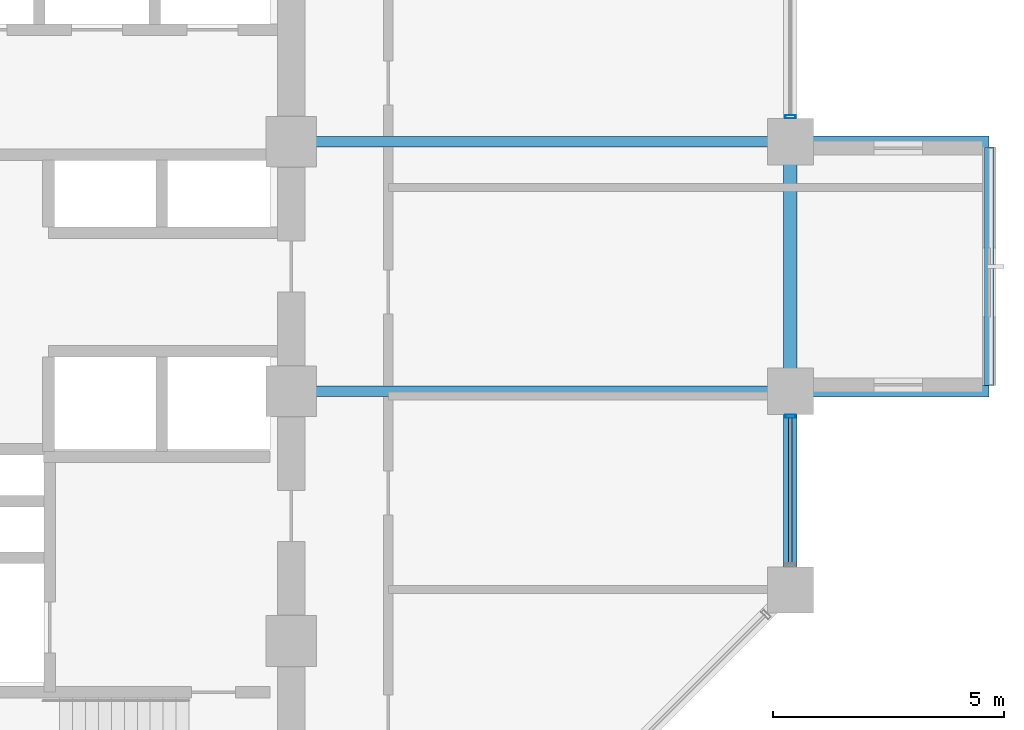
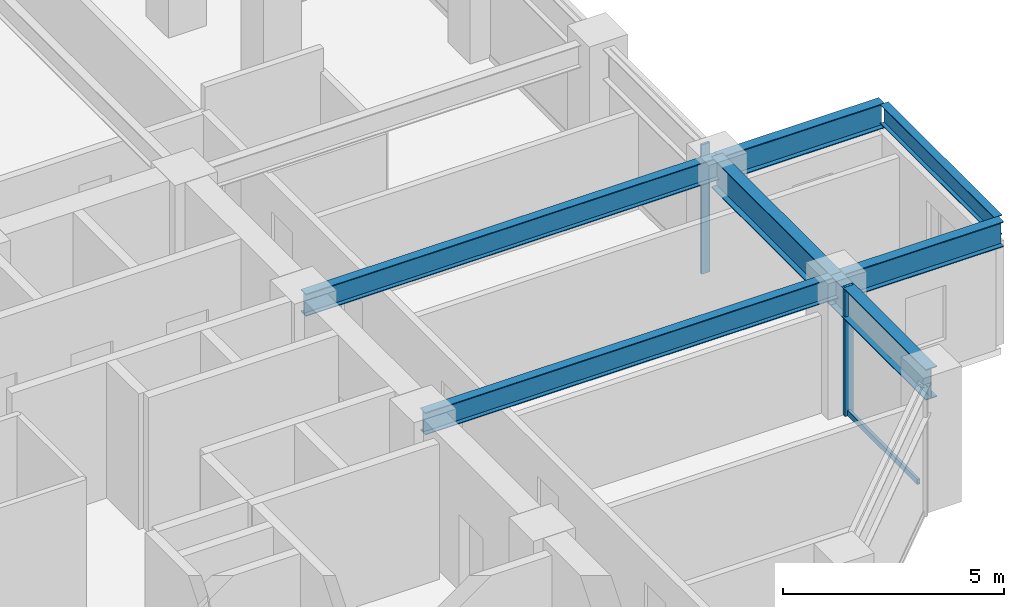
# One storey, part 9 of 26: 7 beams, 3 members, 2 elements without a shape of their own.
"""IFC4 building model written with IfcOpenShell, lengths in metres."""

from ifc_helpers import new_model, si_unit, direction, frame, origin, origin_2d, place, context, subcontext, project, spatial, hollow_rectangle, i_section, extrude, material, layer, layer_set, material_profile, profile_set, type_object, element, aggregate, save


model = new_model("IFC4")

# Units and contexts
model_context = context("Model", 3, precision=1e-05, world=origin(), true_north=direction((0.0, 1.0)))
body_context = subcontext(model_context, "Body", "Model", "MODEL_VIEW")
ifc_project = project(units=[si_unit("LENGTHUNIT", "METRE"), si_unit("AREAUNIT", "SQUARE_METRE"), si_unit("VOLUMEUNIT", "CUBIC_METRE"), si_unit("PLANEANGLEUNIT", "RADIAN"), si_unit("MASSUNIT", "GRAM", prefix="KILO")], contexts=[model_context])

# Site, building, storey
site_placement = place(None, origin())
site = spatial("IfcSite", under=ifc_project, at=site_placement, CompositionType="ELEMENT")
building_placement = place(site_placement, origin())
building = spatial("IfcBuilding", under=site, at=building_placement, Name="Surkhivell Harbour Commons", CompositionType="ELEMENT")
storey_placement = place(building_placement, frame((0.0, 0.0, 143.25)))
storey = spatial("IfcBuildingStorey", under=building, at=storey_placement, Name="L37", CompositionType="ELEMENT", Elevation=143.25)

# Beams
ifc_material_1 = material(Name="Steel S460", Category="steel")
ifc_material_profile_1 = material_profile(ifc_material_1, i_section(OverallWidth=0.256103515625, OverallDepth=0.693115234375, WebThickness=0.014404296875, FlangeThickness=0.023681640625, at=origin_2d()), Name="UB686x254x170")
ifc_profile_set_1 = profile_set([ifc_material_profile_1], Name="Steel S460")
beam_type_1 = type_object("IfcBeamType", Name="BM-CNT-686", PredefinedType="BEAM", material=ifc_profile_set_1)
for number, where, z_axis, x_axis, name in (
    (1, (21.60009765625, 0.0, 3.223388671875), (1.0, 0.0, 0.0), (0.0, 1.0, 0.0), "L37 Box Cantilever Outrigger (21.6,0.0)"),
    (2, (21.60009765625, 5.39990234375, 3.223388671875), (1.0, 0.0, 0.0), (0.0, 1.0, 0.0), "L37 Box Cantilever Outrigger (21.6,5.4)"),
):
    element("IfcBeam", number, at=place(storey_placement, frame(where, z_axis=z_axis, x_axis=x_axis)), inside=storey, type_object=beam_type_1, Name=name, PredefinedType="BEAM", context=body_context, shape_type="SweptSolid", body=[
        extrude(i_section(OverallWidth=0.256103515625, OverallDepth=0.693115234375, WebThickness=0.014404296875, FlangeThickness=0.023681640625, at=origin_2d()), origin(), (0.0, 0.0, 1.0), 4.2998046875),
    ])
ifc_material_2 = material(Name="Steel S355", Category="steel")
ifc_material_profile_2 = material_profile(ifc_material_2, i_section(OverallWidth=0.2099609375, OverallDepth=0.537109375, WebThickness=0.0107421875, FlangeThickness=0.017333984375, at=origin_2d()), Name="UB533x210x101")
ifc_profile_set_2 = profile_set([ifc_material_profile_2], Name="Steel S355")
beam_type_2 = type_object("IfcBeamType", Name="BM-GRD-533B", PredefinedType="BEAM", material=ifc_profile_set_2)
beam_1_placement = place(storey_placement, frame((25.89990234375, 0.1220703125, 3.301513671875), z_axis=(0.0, 1.0, 0.0), x_axis=(-1.0, 0.0, 0.0)))
element("IfcBeam", 3, at=beam_1_placement, inside=storey, type_object=beam_type_2, Name="L37 Box Rim Spandrel (25.9,0.0)", PredefinedType="BEAM", context=body_context, shape_type="SweptSolid", body=[
    extrude(i_section(OverallWidth=0.2099609375, OverallDepth=0.537109375, WebThickness=0.0107421875, FlangeThickness=0.017333984375, at=origin_2d()), origin(), (0.0, 0.0, 1.0), 5.156005859375),
])
ifc_material_profile_3 = material_profile(ifc_material_2, i_section(OverallWidth=0.22998046875, OverallDepth=0.616943359375, WebThickness=0.01318359375, FlangeThickness=0.022216796875, at=origin_2d()), Name="UB610x229x140")
ifc_profile_set_3 = profile_set([ifc_material_profile_3], Name="Steel S355")
beam_type_3 = type_object("IfcBeamType", Name="BM-GRD-610B", PredefinedType="BEAM", material=ifc_profile_set_3)
for number, where, z_axis, x_axis, name in (
    (4, (10.800048828125, 0.0, 3.261474609375), (1.0, 0.0, 0.0), (0.0, 1.0, 0.0), "L37 Cantilever Back-Span Girder (10.8,0.0)"),
    (5, (10.800048828125, 5.39990234375, 3.261474609375), (1.0, 0.0, 0.0), (0.0, 1.0, 0.0), "L37 Cantilever Back-Span Girder (10.8,5.4)"),
):
    element("IfcBeam", number, at=place(storey_placement, frame(where, z_axis=z_axis, x_axis=x_axis)), inside=storey, type_object=beam_type_3, Name=name, PredefinedType="BEAM", context=body_context, shape_type="SweptSolid", body=[
        extrude(i_section(OverallWidth=0.22998046875, OverallDepth=0.616943359375, WebThickness=0.01318359375, FlangeThickness=0.022216796875, at=origin_2d()), origin(), (0.0, 0.0, 1.0), 10.800048828125),
    ])
ifc_material_profile_4 = material_profile(ifc_material_1, i_section(OverallWidth=0.2939453125, OverallDepth=0.85107421875, WebThickness=0.01611328125, FlangeThickness=0.02685546875, at=origin_2d()), Name="UB838x292x226")
ifc_profile_set_4 = profile_set([ifc_material_profile_4], Name="Steel S460")
beam_type_4 = type_object("IfcBeamType", Name="BM-SPN-838", PredefinedType="SPANDREL", material=ifc_profile_set_4)
beam_2_placement = place(storey_placement, frame((21.60009765625, -4.300048828125, 3.14453125), z_axis=(0.0, 1.0, 0.0), x_axis=(-1.0, 0.0, 0.0)))
element("IfcBeam", 6, at=beam_2_placement, inside=storey, type_object=beam_type_4, Name="L37 Tube Spandrel (21.6,-4.3)", PredefinedType="SPANDREL", context=body_context, shape_type="SweptSolid", body=[
    extrude(i_section(OverallWidth=0.2939453125, OverallDepth=0.85107421875, WebThickness=0.01611328125, FlangeThickness=0.02685546875, at=origin_2d()), origin(), (0.0, 0.0, 1.0), 4.300048828125),
])
beam_3_placement = place(storey_placement, frame((21.60009765625, 0.0, 3.14453125), z_axis=(0.0, 1.0, 0.0), x_axis=(-1.0, 0.0, 0.0)))
element("IfcBeam", 7, at=beam_3_placement, inside=storey, type_object=beam_type_4, Name="L37 Tube Spandrel (21.6,0.0)", PredefinedType="SPANDREL", context=body_context, shape_type="SweptSolid", body=[
    extrude(i_section(OverallWidth=0.2939453125, OverallDepth=0.85107421875, WebThickness=0.01611328125, FlangeThickness=0.02685546875, at=origin_2d()), origin(), (0.0, 0.0, 1.0), 5.39990234375),
])

# Curtain wall, member
ifc_material_3 = material(Name="Anodised pale-metal aluminium and insulated glazing", Category="aluminium")
ifc_layer = layer(ifc_material_3, 0.205078125)
ifc_layer_set = layer_set([ifc_layer], Name="Anodised pale-metal aluminium and insulated glazing")
curtain_wall_type = type_object("IfcCurtainWallType", Name="CW-SYS-Z2", PredefinedType="NOTDEFINED", material=ifc_layer_set)
curtain_wall_1_placement = place(storey_placement, origin())
curtain_wall_1 = element("IfcCurtainWall", 8, at=curtain_wall_1_placement, inside=storey, type_object=curtain_wall_type, Name="L37 Curtain Wall CW-L37-E02R1", PredefinedType="NOTDEFINED")
ifc_material_4 = material(Name="Anodised pale-metal aluminium alloy 6063-T6", Category="aluminium")
ifc_material_profile_5 = material_profile(ifc_material_4, hollow_rectangle(XDim=0.074951171875, YDim=0.219970703125, WallThickness=0.00390625, at=origin_2d()), Name="ALU-MULL-75x220")
ifc_profile_set_5 = profile_set([ifc_material_profile_5], Name="Anodised pale-metal aluminium alloy 6063-T6")
member_type_1 = type_object("IfcMemberType", Name="CWM-220", PredefinedType="MULLION", material=ifc_profile_set_5)
member_1_placement = place(storey_placement, frame((21.60009765625, -0.53955078125, 0.0), z_axis=(0.0, 0.0, 1.0), x_axis=(0.0, 1.0, 0.0)))
member_1 = element("IfcMember", 9, at=member_1_placement, type_object=member_type_1, Name="CW-Z2 mullion 2", PredefinedType="MULLION", context=body_context, shape_type="SweptSolid", body=[
    extrude(hollow_rectangle(XDim=0.074951171875, YDim=0.219970703125, WallThickness=0.00390625, at=origin_2d()), origin(), (0.0, 0.0, 1.0), 3.570068359375),
])

curtain_wall_2_placement = place(storey_placement, origin())
curtain_wall_2 = element("IfcCurtainWall", 10, at=curtain_wall_2_placement, inside=storey, type_object=curtain_wall_type, Name="L37 Curtain Wall CW-L37-E02R2", PredefinedType="NOTDEFINED")
member_2_placement = place(storey_placement, frame((21.60009765625, 5.939453125, 0.0), z_axis=(0.0, 0.0, 1.0), x_axis=(0.0, 1.0, 0.0)))
member_2 = element("IfcMember", 11, at=member_2_placement, type_object=member_type_1, Name="CW-Z2 mullion 1", PredefinedType="MULLION", context=body_context, shape_type="SweptSolid", body=[
    extrude(hollow_rectangle(XDim=0.074951171875, YDim=0.219970703125, WallThickness=0.00390625, at=origin_2d()), origin(), (0.0, 0.0, 1.0), 3.570068359375),
])
aggregate(curtain_wall_2, [member_2])

# Member
ifc_material_profile_6 = material_profile(ifc_material_4, hollow_rectangle(XDim=0.074951171875, YDim=0.14990234375, WallThickness=0.00341796875, at=origin_2d()), Name="ALU-TRAN-75x150")
ifc_profile_set_6 = profile_set([ifc_material_profile_6], Name="Anodised pale-metal aluminium alloy 6063-T6")
member_type_2 = type_object("IfcMemberType", Name="CWT-150", PredefinedType="USERDEFINED", material=ifc_profile_set_6)
member_3_placement = place(storey_placement, frame((21.60009765625, -3.722900390625, 0.074951171875), z_axis=(0.0, 1.0, 0.0), x_axis=(-1.0, 0.0, 0.0)))
member_3 = element("IfcMember", 12, at=member_3_placement, type_object=member_type_2, Name="CW-Z2 transom 1.1", ObjectType="TRANSOM", PredefinedType="USERDEFINED", context=body_context, shape_type="SweptSolid", body=[
    extrude(hollow_rectangle(XDim=0.074951171875, YDim=0.14990234375, WallThickness=0.00341796875, at=origin_2d()), origin(), (0.0, 0.0, 1.0), 3.14599609375),
])

aggregate(curtain_wall_1, [member_1, member_3])

save(model, "model.ifc")
